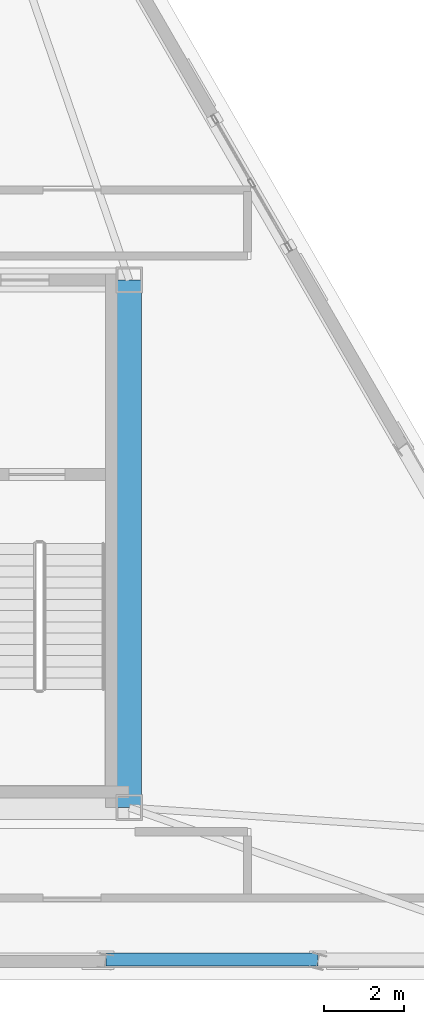
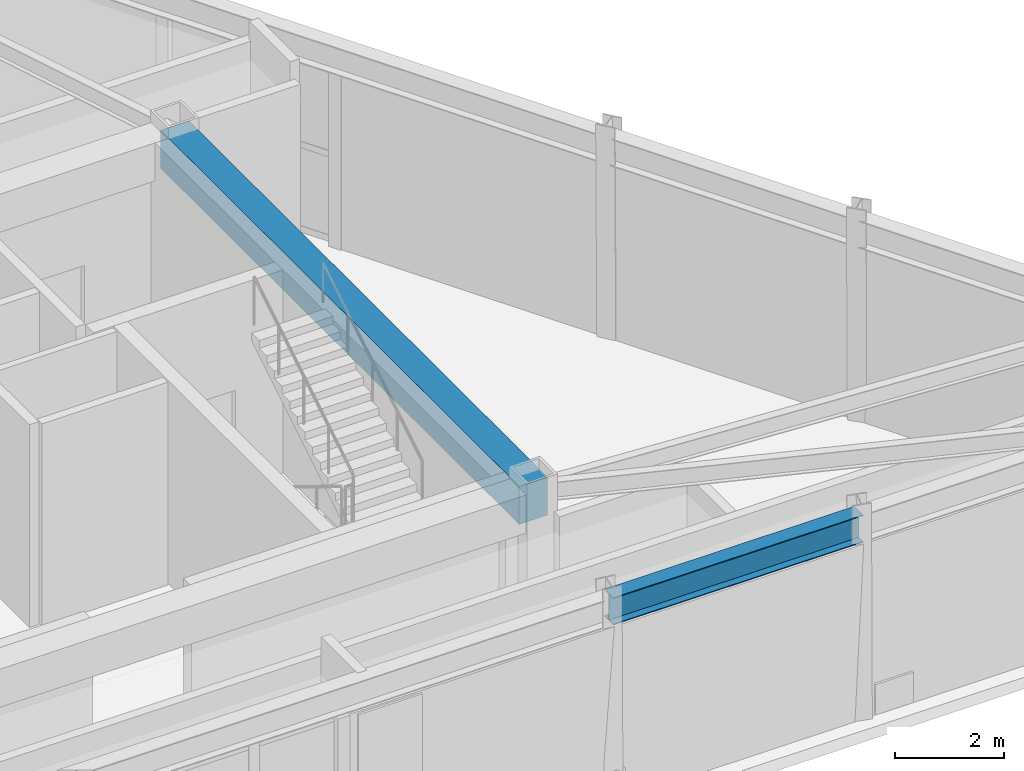
# One storey, part 3 of 12: 2 beams.
"""IFC4 building model written with IfcOpenShell, lengths in metres."""

import ifcopenshell
import ifcopenshell.guid

model = None  # the IFC model being written
_history = None  # IfcOwnerHistory: only IFC2X3 demands one
_inside = {}  # id of a spatial element -> (the spatial element, [elements in it])
_under = {}  # id of a project, library or spatial element -> (it, [spatial elements below it])
_declared = {}  # id of a project -> (the project, [libraries it declares])
_typed = {}  # id of a type object -> (the type object, [elements of that type])
_made_of = {}  # id of a material, layer set ... -> (it, [elements and type objects made of it])


def new_model(schema):
    """Start an empty IFC model of exactly this schema.

    Asked for "IFC4X3", IfcOpenShell would pick the latest addendum, in which some entities
    have other attributes; the version numbers below select the first issue.
    IFC2X3 requires an IfcOwnerHistory on every rooted entity: one is made here for all.
    """
    global model, _history
    if schema == "IFC4X3":
        model = ifcopenshell.file(schema_version=(4, 3, 0, 0))
    else:
        model = ifcopenshell.file(schema=schema)
    _inside.clear()
    _under.clear()
    _declared.clear()
    _typed.clear()
    _made_of.clear()
    _history = None
    if model.schema == "IFC2X3":
        org = make("IfcOrganization", Name="unknown")
        user = make(
            "IfcPersonAndOrganization",
            ThePerson=make("IfcPerson", FamilyName="unknown"),
            TheOrganization=org,
        )
        app = make(
            "IfcApplication",
            ApplicationDeveloper=org,
            Version="unknown",
            ApplicationFullName="unknown",
            ApplicationIdentifier="unknown",
        )
        _history = make(
            "IfcOwnerHistory",
            OwningUser=user,
            OwningApplication=app,
            ChangeAction="ADDED",
            CreationDate=0,
        )
    return model


def make(cls, **values):
    """One entity of the class cls with the attributes given. An attribute that is None is left unset."""
    return model.create_entity(
        cls, **{name: value for name, value in values.items() if value is not None}
    )


def rooted(cls, **values):
    """An entity with a GlobalId (a new one), such as an element, a storey or a relation."""
    return make(cls, GlobalId=ifcopenshell.guid.new(), OwnerHistory=_history, **values)


def si_unit(unit_type, name, prefix=None):
    """IfcSIUnit, for example si_unit("LENGTHUNIT", "METRE", prefix="MILLI")."""
    return make("IfcSIUnit", UnitType=unit_type, Prefix=prefix, Name=name)


def assignment(units):
    """IfcUnitAssignment: the units of a project."""
    return None if units is None else make("IfcUnitAssignment", Units=units)


def point(xyz):
    """IfcCartesianPoint."""
    return None if xyz is None else make("IfcCartesianPoint", Coordinates=xyz)


def direction(xyz):
    """IfcDirection."""
    return None if xyz is None else make("IfcDirection", DirectionRatios=xyz)


def frame(location, z_axis=None, x_axis=None):
    """IfcAxis2Placement3D, a coordinate frame: its origin and axes. An axis left out is left unset."""
    return make(
        "IfcAxis2Placement3D",
        Location=point(location),
        Axis=direction(z_axis),
        RefDirection=direction(x_axis),
    )


def frame_2d(location, x_axis=None):
    """IfcAxis2Placement2D, a coordinate frame in the plane: its origin and x axis."""
    return make(
        "IfcAxis2Placement2D", Location=point(location), RefDirection=direction(x_axis)
    )


def origin():
    """The frame at (0, 0, 0) with its axes left unset."""
    return frame((0.0, 0.0, 0.0))


def origin_2d():
    """The frame at (0, 0) in the plane with its x axis left unset."""
    return frame_2d((0.0, 0.0))


def place(relative_to, where):
    """IfcLocalPlacement: puts the frame where relative to a parent placement (None: the world)."""
    return make(
        "IfcLocalPlacement", PlacementRelTo=relative_to, RelativePlacement=where
    )


def context(
    kind, dimensions, precision=None, world=None, true_north=None, identifier=None
):
    """IfcGeometricRepresentationContext, for example the 3D "Model" context."""
    return make(
        "IfcGeometricRepresentationContext",
        ContextIdentifier=identifier,
        ContextType=kind,
        CoordinateSpaceDimension=dimensions,
        Precision=precision,
        WorldCoordinateSystem=world,
        TrueNorth=true_north,
    )


def subcontext(parent, identifier, kind, view, scale=None):
    """IfcGeometricRepresentationSubContext, for example "Body" below "Model"."""
    return make(
        "IfcGeometricRepresentationSubContext",
        ContextIdentifier=identifier,
        ContextType=kind,
        ParentContext=parent,
        TargetScale=scale,
        TargetView=view,
    )


def project(units=None, contexts=None):
    """IfcProject with its units and contexts."""
    return rooted(
        "IfcProject",
        Name="project",
        RepresentationContexts=contexts,
        UnitsInContext=assignment(units),
    )


def spatial(cls, under=None, at=None, **own):
    """A site, building, storey or space (cls), placed at a placement, below another one or the project."""
    s = rooted(cls, ObjectPlacement=at, **own)
    if under is not None:
        _under.setdefault(under.id(), (under, []))[1].append(s)
    return s


def profile(cls, at=None, kind="AREA", **sizes):
    """A parametric profile (cls). Its sizes go by their IFC names, for example OverallWidth=200.0."""
    return make(cls, ProfileType=kind, Position=at, **sizes)


def rectangle(**sizes):
    """IfcRectangleProfileDef."""
    return profile("IfcRectangleProfileDef", **sizes)


def i_section(**sizes):
    """IfcIShapeProfileDef."""
    return profile("IfcIShapeProfileDef", **sizes)


def extrude(swept, where, along, depth):
    """IfcExtrudedAreaSolid: the profile swept, set in the frame where, extruded along a direction by depth."""
    return make(
        "IfcExtrudedAreaSolid",
        SweptArea=swept,
        Position=where,
        ExtrudedDirection=direction(along),
        Depth=depth,
    )


def shape(context_of_items, identifier, shape_type, items):
    """IfcShapeRepresentation: the items that make up one representation, for example the "Body"."""
    return make(
        "IfcShapeRepresentation",
        ContextOfItems=context_of_items,
        RepresentationIdentifier=identifier,
        RepresentationType=shape_type,
        Items=items,
    )


def material(Name=None, Category=None):
    """IfcMaterial."""
    return make("IfcMaterial", Name=Name, Category=Category)


def material_profile(
    of_material, cross_section, Name=None, Category=None, Priority=None
):
    """IfcMaterialProfile: a cross section and its material."""
    return make(
        "IfcMaterialProfile",
        Name=Name,
        Material=of_material,
        Profile=cross_section,
        Priority=Priority,
        Category=Category,
    )


def profile_set(profiles, Name=None, composite=None):
    """IfcMaterialProfileSet."""
    return make(
        "IfcMaterialProfileSet",
        Name=Name,
        MaterialProfiles=profiles,
        CompositeProfile=composite,
    )


def made_of(thing, what):
    """Note that an element or type object is made of a material, layer set ...; save() writes the relation."""
    if what is not None:
        _made_of.setdefault(what.id(), (what, []))[1].append(thing)
    return thing


def type_object(cls, material=None, **own):
    """A type object (cls), such as IfcWallType, which elements share."""
    return made_of(rooted(cls, **own), material)


def element(
    cls,
    number,
    at=None,
    inside=None,
    cuts=None,
    type_object=None,
    material=None,
    context=None,
    identifier="Body",
    shape_type=None,
    held_by="IfcProductDefinitionShape",
    body=None,
    shapes=None,
    **own,
):
    """One element of the class cls, such as IfcWall. Its Tag is "e" and its number.

    at: its placement. inside: the storey or other place that contains it. cuts: it is an
    opening in that element (IfcRelVoidsElement). A single representation is given by context,
    identifier, shape_type and body (its items); several are given by shapes. held_by: the class
    of the entity that holds the representations. save() writes the other relations.
    """
    e = rooted(cls, Tag="e%d" % number, ObjectPlacement=at, **own)
    if body is not None:
        shapes = [shape(context, identifier, shape_type, body)]
    if shapes is not None:
        e.Representation = make(held_by, Representations=shapes)
    if inside is not None:
        _inside.setdefault(inside.id(), (inside, []))[1].append(e)
    if cuts is not None:
        rooted(
            "IfcRelVoidsElement", RelatingBuildingElement=cuts, RelatedOpeningElement=e
        )
    if type_object is not None:
        _typed.setdefault(type_object.id(), (type_object, []))[1].append(e)
    return made_of(e, material)


def aggregate(whole, parts):
    """IfcRelAggregates: a whole, such as a stair, and the parts it consists of."""
    return rooted("IfcRelAggregates", RelatingObject=whole, RelatedObjects=parts)


def save(model, path):
    """Write the relations noted so far, then the file.

    IfcRelAggregates (storeys below a building ...), IfcRelContainedInSpatialStructure (elements
    in a storey), IfcRelDefinesByType, IfcRelAssociatesMaterial and IfcRelDeclares: one each for
    every whole, place, type object, material and project.
    """
    for whole, parts in _under.values():
        aggregate(whole, parts)
    for where, things in _inside.values():
        rooted(
            "IfcRelContainedInSpatialStructure",
            RelatedElements=things,
            RelatingStructure=where,
        )
    for kind, things in _typed.values():
        rooted("IfcRelDefinesByType", RelatedObjects=things, RelatingType=kind)
    for what, things in _made_of.values():
        rooted("IfcRelAssociatesMaterial", RelatedObjects=things, RelatingMaterial=what)
    for by, libraries in _declared.values():
        rooted("IfcRelDeclares", RelatingContext=by, RelatedDefinitions=libraries)
    model.write(path)


model = new_model("IFC4")

# Units and contexts
model_context = context("Model", 3, precision=1e-05, world=origin(), true_north=direction((0.0, 1.0)))
body_context = subcontext(model_context, "Body", "Model", "MODEL_VIEW")
ifc_project = project(units=[si_unit("LENGTHUNIT", "METRE"), si_unit("AREAUNIT", "SQUARE_METRE"), si_unit("VOLUMEUNIT", "CUBIC_METRE"), si_unit("PLANEANGLEUNIT", "RADIAN"), si_unit("MASSUNIT", "GRAM", prefix="KILO")], contexts=[model_context])

# Site, building, storey
site_placement = place(None, origin())
site = spatial("IfcSite", under=ifc_project, at=site_placement, CompositionType="ELEMENT")
building_placement = place(site_placement, origin())
building = spatial("IfcBuilding", under=site, at=building_placement, Name="Oramaril Tower", CompositionType="ELEMENT")
storey_placement = place(building_placement, frame((0.0, 0.0, 314.10009765625)))
storey = spatial("IfcBuildingStorey", under=building, at=storey_placement, Name="L82", CompositionType="ELEMENT", Elevation=314.10009765625)

# Beams
ifc_material_1 = material(Name="Concrete C50/60", Category="concrete")
ifc_material_profile_1 = material_profile(ifc_material_1, rectangle(XDim=0.60009765625, YDim=0.85009765625, at=origin_2d()), Name="CB600X850")
ifc_profile_set_1 = profile_set([ifc_material_profile_1], Name="Concrete C50/60")
beam_type_1 = type_object("IfcBeamType", Name="BT-CB2", PredefinedType="BEAM", material=ifc_profile_set_1)
beam_1_placement = place(storey_placement, frame((45.64990234375, 11.0, 4.114990234375), z_axis=(0.0, 1.0, 0.0), x_axis=(-1.0, 0.0, 0.0)))
element("IfcBeam", 1, at=beam_1_placement, inside=storey, type_object=beam_type_1, Name="L82 Core Header Beam CB-2", PredefinedType="BEAM", context=body_context, shape_type="SweptSolid", body=[
    extrude(rectangle(XDim=0.60009765625, YDim=0.85009765625, at=origin_2d()), origin(), (0.0, 0.0, 1.0), 13.14990234375),
])
ifc_material_2 = material(Name="Steel ASTM A572 Gr 50", Category="steel")
ifc_material_profile_2 = material_profile(ifc_material_2, i_section(OverallWidth=0.324951171875, OverallDepth=0.612060546875, WebThickness=0.0126953125, FlangeThickness=0.01904296875, at=origin_2d()), Name="W24X104")
ifc_profile_set_2 = profile_set([ifc_material_profile_2], Name="Steel ASTM A572 Gr 50")
beam_type_2 = type_object("IfcBeamType", Name="BT-SP5", PredefinedType="SPANDREL", material=ifc_profile_set_2)
beam_2_placement = place(storey_placement, frame((45.0654296875, 7.218994140625, 4.23388671875), z_axis=(1.0, 0.0, 0.0), x_axis=(0.0, 1.0, 0.0)))
element("IfcBeam", 2, at=beam_2_placement, inside=storey, type_object=beam_type_2, Name="L82 Perimeter Spandrel 05", PredefinedType="SPANDREL", context=body_context, shape_type="SweptSolid", body=[
    extrude(i_section(OverallWidth=0.324951171875, OverallDepth=0.612060546875, WebThickness=0.0126953125, FlangeThickness=0.01904296875, at=origin_2d()), origin(), (0.0, 0.0, 1.0), 5.295654296875),
])

save(model, "model.ifc")
